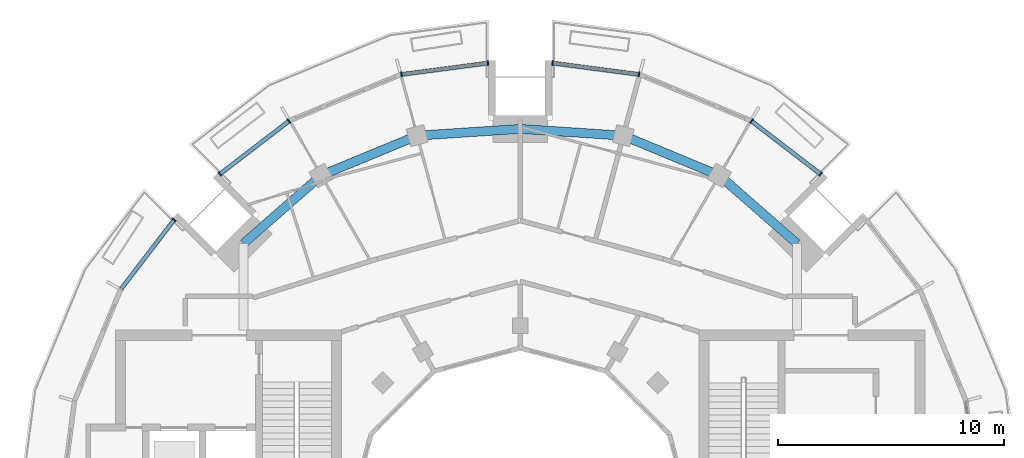
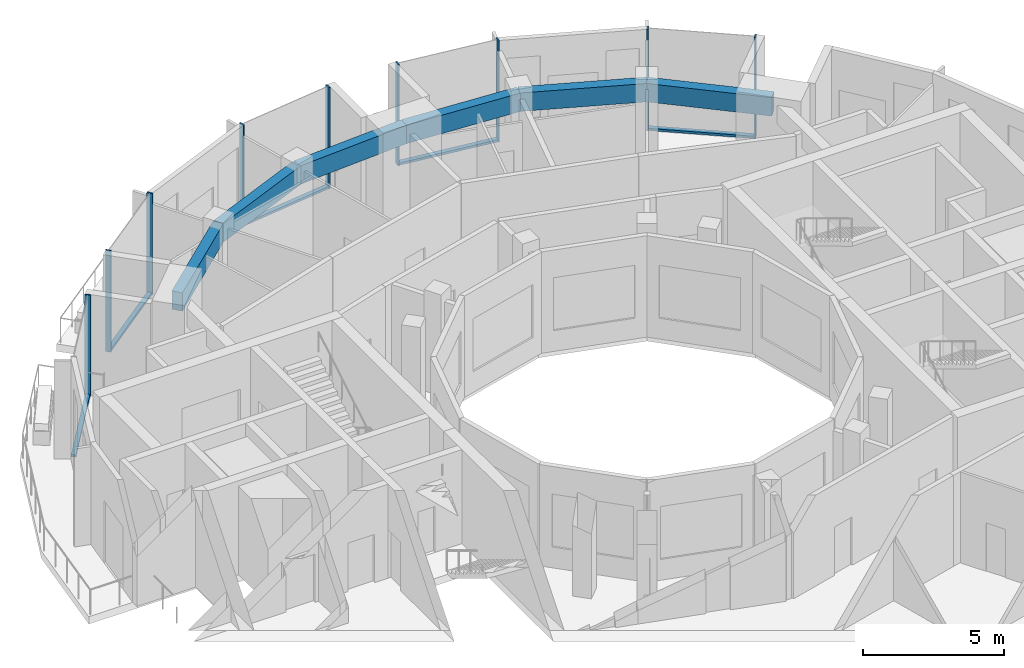
# One storey, part 5 of 15: 14 members, 6 beams, 5 elements without a shape of their own.
"""IFC4 building model written with IfcOpenShell, lengths in metres."""

from ifc_helpers import new_model, si_unit, direction, frame, origin, origin_2d, place, context, subcontext, project, spatial, rectangle, extrude, material, layer, layer_set, material_profile, profile_set, type_object, element, aggregate, save


model = new_model("IFC4")

# Units and contexts
model_context = context("Model", 3, precision=1e-05, world=origin(), true_north=direction((0.0, 1.0)))
body_context = subcontext(model_context, "Body", "Model", "MODEL_VIEW")
ifc_project = project(units=[si_unit("LENGTHUNIT", "METRE"), si_unit("AREAUNIT", "SQUARE_METRE"), si_unit("VOLUMEUNIT", "CUBIC_METRE"), si_unit("PLANEANGLEUNIT", "RADIAN"), si_unit("MASSUNIT", "GRAM", prefix="KILO")], contexts=[model_context])

# Site, building, storey
site_placement = place(None, origin())
site = spatial("IfcSite", under=ifc_project, at=site_placement, CompositionType="ELEMENT")
building_placement = place(site_placement, origin())
building = spatial("IfcBuilding", under=site, at=building_placement, Name="Torre Brocal", CompositionType="ELEMENT")
storey_placement = place(building_placement, frame((0.0, 0.0, 314.89990234375)))
storey = spatial("IfcBuildingStorey", under=building, at=storey_placement, Name="L72", CompositionType="ELEMENT", Elevation=314.89990234375)

# Curtain wall, members
ifc_material_1 = material(Name="Aluminium and glass", Category="aluminium")
ifc_layer = layer(ifc_material_1, 0.199951171875)
ifc_layer_set = layer_set([ifc_layer], Name="Aluminium and glass")
curtain_wall_type = type_object("IfcCurtainWallType", Name="CW-5 CURTAIN WALL 4400 HIGH", PredefinedType="NOTDEFINED", material=ifc_layer_set)
curtain_wall_1_placement = place(storey_placement, origin())
curtain_wall_1 = element("IfcCurtainWall", 1, at=curtain_wall_1_placement, inside=storey, type_object=curtain_wall_type, Name="CW-5 RUN 4", PredefinedType="NOTDEFINED")
ifc_material_2 = material(Name="Aluminium, dark anodised", Category="aluminium")
ifc_material_profile_1 = material_profile(ifc_material_2, rectangle(XDim=0.219970703125, YDim=0.06005859375, at=origin_2d()), Name="CW-5 MULLION 60X220")
ifc_profile_set_1 = profile_set([ifc_material_profile_1], Name="Aluminium, dark anodised")
member_type_1 = type_object("IfcMemberType", Name="CW-5 MULLION 60X220", PredefinedType="MULLION", material=ifc_profile_set_1)
member_1_placement = place(storey_placement, frame((93.2802734375, 90.30224609375, 0.0), z_axis=(0.0, 0.0, 1.0), x_axis=(-0.608761428898, -0.793353340376, 0.0)))
member_1 = element("IfcMember", 2, at=member_1_placement, type_object=member_type_1, Name="CW5-1 mullion 1", PredefinedType="MULLION", context=body_context, shape_type="SweptSolid", body=[
    extrude(rectangle(XDim=0.219970703125, YDim=0.06005859375, at=origin_2d()), origin(), (0.0, 0.0, 1.0), 4.400146484375),
])
member_2_placement = place(storey_placement, frame((90.223388671875, 92.64794921875, 0.0), z_axis=(0.0, 0.0, 1.0), x_axis=(-0.608761428898, -0.793353340376, 0.0)))
member_2 = element("IfcMember", 3, at=member_2_placement, type_object=member_type_1, Name="CW5-1 mullion 2", PredefinedType="MULLION", context=body_context, shape_type="SweptSolid", body=[
    extrude(rectangle(XDim=0.219970703125, YDim=0.06005859375, at=origin_2d()), origin(), (0.0, 0.0, 1.0), 4.400146484375),
])

curtain_wall_2_placement = place(storey_placement, origin())
curtain_wall_2 = element("IfcCurtainWall", 4, at=curtain_wall_2_placement, inside=storey, type_object=curtain_wall_type, Name="CW-5 RUN 6", PredefinedType="NOTDEFINED")
member_3_placement = place(storey_placement, frame((85.25, 94.7080078125, 0.0), z_axis=(0.0, 0.0, 1.0), x_axis=(-0.130526192064, -0.991444861394, 0.0)))
member_3 = element("IfcMember", 5, at=member_3_placement, type_object=member_type_1, Name="CW5-1 mullion 1", PredefinedType="MULLION", context=body_context, shape_type="SweptSolid", body=[
    extrude(rectangle(XDim=0.219970703125, YDim=0.06005859375, at=origin_2d()), origin(), (0.0, 0.0, 1.0), 4.400146484375),
])
member_4_placement = place(storey_placement, frame((81.4296875, 95.2109375, 0.0), z_axis=(0.0, 0.0, 1.0), x_axis=(-0.130526192064, -0.991444861394, 0.0)))
member_4 = element("IfcMember", 6, at=member_4_placement, type_object=member_type_1, Name="CW5-1 mullion 2", PredefinedType="MULLION", context=body_context, shape_type="SweptSolid", body=[
    extrude(rectangle(XDim=0.219970703125, YDim=0.06005859375, at=origin_2d()), origin(), (0.0, 0.0, 1.0), 4.400146484375),
])

curtain_wall_3_placement = place(storey_placement, origin())
curtain_wall_3 = element("IfcCurtainWall", 7, at=curtain_wall_3_placement, inside=storey, type_object=curtain_wall_type, Name="CW-5 RUN 7", PredefinedType="NOTDEFINED")
member_5_placement = place(storey_placement, frame((78.5703125, 95.2109375, 0.0), z_axis=(0.0, 0.0, 1.0), x_axis=(0.130526192064, -0.991444861394, 0.0)))
member_5 = element("IfcMember", 8, at=member_5_placement, type_object=member_type_1, Name="CW5-1 mullion 1", PredefinedType="MULLION", context=body_context, shape_type="SweptSolid", body=[
    extrude(rectangle(XDim=0.219970703125, YDim=0.06005859375, at=origin_2d()), origin(), (0.0, 0.0, 1.0), 4.400146484375),
])
member_6_placement = place(storey_placement, frame((74.75, 94.7080078125, 0.0), z_axis=(0.0, 0.0, 1.0), x_axis=(0.130526192064, -0.991444861394, 0.0)))
member_6 = element("IfcMember", 9, at=member_6_placement, type_object=member_type_1, Name="CW5-1 mullion 2", PredefinedType="MULLION", context=body_context, shape_type="SweptSolid", body=[
    extrude(rectangle(XDim=0.219970703125, YDim=0.06005859375, at=origin_2d()), origin(), (0.0, 0.0, 1.0), 4.400146484375),
])

curtain_wall_4_placement = place(storey_placement, origin())
curtain_wall_4 = element("IfcCurtainWall", 10, at=curtain_wall_4_placement, inside=storey, type_object=curtain_wall_type, Name="CW-5 RUN 9", PredefinedType="NOTDEFINED")
member_7_placement = place(storey_placement, frame((69.776611328125, 92.64794921875, 0.0), z_axis=(0.0, 0.0, 1.0), x_axis=(0.608761428898, -0.793353340376, 0.0)))
member_7 = element("IfcMember", 11, at=member_7_placement, type_object=member_type_1, Name="CW5-1 mullion 1", PredefinedType="MULLION", context=body_context, shape_type="SweptSolid", body=[
    extrude(rectangle(XDim=0.219970703125, YDim=0.06005859375, at=origin_2d()), origin(), (0.0, 0.0, 1.0), 4.400146484375),
])
member_8_placement = place(storey_placement, frame((66.7197265625, 90.30224609375, 0.0), z_axis=(0.0, 0.0, 1.0), x_axis=(0.608761428898, -0.793353340376, 0.0)))
member_8 = element("IfcMember", 12, at=member_8_placement, type_object=member_type_1, Name="CW5-1 mullion 2", PredefinedType="MULLION", context=body_context, shape_type="SweptSolid", body=[
    extrude(rectangle(XDim=0.219970703125, YDim=0.06005859375, at=origin_2d()), origin(), (0.0, 0.0, 1.0), 4.400146484375),
])

# Curtain wall, member
curtain_wall_5_placement = place(storey_placement, origin())
curtain_wall_5 = element("IfcCurtainWall", 13, at=curtain_wall_5_placement, inside=storey, type_object=curtain_wall_type, Name="CW-5 RUN 10", PredefinedType="NOTDEFINED")
member_9_placement = place(storey_placement, frame((64.69775390625, 88.2802734375, 0.0), z_axis=(0.0, 0.0, 1.0), x_axis=(0.793353340376, -0.608761428898, 0.0)))
member_9 = element("IfcMember", 14, at=member_9_placement, type_object=member_type_1, Name="CW5-1 mullion 1", PredefinedType="MULLION", context=body_context, shape_type="SweptSolid", body=[
    extrude(rectangle(XDim=0.219970703125, YDim=0.06005859375, at=origin_2d()), origin(), (0.0, 0.0, 1.0), 4.400146484375),
])

# Member
ifc_material_3 = material(Name="Aluminium, dark anodised", Category="aluminium")
ifc_material_profile_2 = material_profile(ifc_material_3, rectangle(XDim=0.179931640625, YDim=0.10009765625, at=origin_2d()), Name="CW-5 TRANSOM 180X100")
ifc_profile_set_2 = profile_set([ifc_material_profile_2], Name="Aluminium, dark anodised")
member_type_2 = type_object("IfcMemberType", Name="CW-5 TRANSOM 180X100", PredefinedType="USERDEFINED", material=ifc_profile_set_2)
member_10_placement = place(storey_placement, frame((93.256591796875, 90.320556640625, 0.050048828125), z_axis=(-0.793379443335, 0.60872740935, 0.0), x_axis=(-0.60872740935, -0.793379443335, 0.0)))
member_10 = element("IfcMember", 15, at=member_10_placement, type_object=member_type_2, Name="CW5-1 transom 1.1", ObjectType="TRANSOM", PredefinedType="USERDEFINED", context=body_context, shape_type="SweptSolid", body=[
    extrude(rectangle(XDim=0.179931640625, YDim=0.10009765625, at=origin_2d()), origin(), (0.0, 0.0, 1.0), 3.793212890625),
])

aggregate(curtain_wall_1, [member_1, member_2, member_10])

member_11_placement = place(storey_placement, frame((85.22021484375, 94.7119140625, 0.050048828125), z_axis=(-0.99144465375, 0.130527769268, 0.0), x_axis=(-0.130527769268, -0.99144465375, 0.0)))
member_11 = element("IfcMember", 16, at=member_11_placement, type_object=member_type_2, Name="CW5-1 transom 1.1", ObjectType="TRANSOM", PredefinedType="USERDEFINED", context=body_context, shape_type="SweptSolid", body=[
    extrude(rectangle(XDim=0.179931640625, YDim=0.10009765625, at=origin_2d()), origin(), (0.0, 0.0, 1.0), 3.793212890625),
])

aggregate(curtain_wall_2, [member_3, member_4, member_11])

member_12_placement = place(storey_placement, frame((78.54052734375, 95.20703125, 0.050048828125), z_axis=(-0.99144465375, -0.130527769268, 0.0), x_axis=(0.130527769268, -0.99144465375, 0.0)))
member_12 = element("IfcMember", 17, at=member_12_placement, type_object=member_type_2, Name="CW5-1 transom 1.1", ObjectType="TRANSOM", PredefinedType="USERDEFINED", context=body_context, shape_type="SweptSolid", body=[
    extrude(rectangle(XDim=0.179931640625, YDim=0.10009765625, at=origin_2d()), origin(), (0.0, 0.0, 1.0), 3.793212890625),
])

aggregate(curtain_wall_3, [member_5, member_6, member_12])

member_13_placement = place(storey_placement, frame((69.7529296875, 92.629638671875, 0.050048828125), z_axis=(-0.793379443335, -0.60872740935, 0.0), x_axis=(0.60872740935, -0.793379443335, 0.0)))
member_13 = element("IfcMember", 18, at=member_13_placement, type_object=member_type_2, Name="CW5-1 transom 1.1", ObjectType="TRANSOM", PredefinedType="USERDEFINED", context=body_context, shape_type="SweptSolid", body=[
    extrude(rectangle(XDim=0.179931640625, YDim=0.10009765625, at=origin_2d()), origin(), (0.0, 0.0, 1.0), 3.793212890625),
])

aggregate(curtain_wall_4, [member_7, member_8, member_13])

member_14_placement = place(storey_placement, frame((64.679443359375, 88.256591796875, 0.050048828125), z_axis=(-0.60872740935, -0.793379443335, 0.0), x_axis=(0.793379443335, -0.60872740935, 0.0)))
member_14 = element("IfcMember", 19, at=member_14_placement, type_object=member_type_2, Name="CW5-1 transom 1.1", ObjectType="TRANSOM", PredefinedType="USERDEFINED", context=body_context, shape_type="SweptSolid", body=[
    extrude(rectangle(XDim=0.179931640625, YDim=0.10009765625, at=origin_2d()), origin(), (0.0, 0.0, 1.0), 3.793212890625),
])

aggregate(curtain_wall_5, [member_9, member_14])

# Beams
ifc_material_4 = material(Name="Concrete C50", Category="concrete")
ifc_material_profile_3 = material_profile(ifc_material_4, rectangle(XDim=0.39990234375, YDim=0.800048828125, at=origin_2d()), Name="RC 400X800")
ifc_profile_set_3 = profile_set([ifc_material_profile_3], Name="Concrete C50")
beam_type = type_object("IfcBeamType", Name="RC SPANDREL BEAM 400X800 C50 TOP 4080", PredefinedType="SPANDREL", material=ifc_profile_set_3)
beam_1_placement = place(storey_placement, frame((92.23291015625, 87.23291015625, 3.68017578125), z_axis=(-0.752003258433, 0.659159388393, 0.0), x_axis=(-0.659159388393, -0.752003258433, 0.0)))
element("IfcBeam", 20, at=beam_1_placement, inside=storey, type_object=beam_type, Name="Beam BT-50", PredefinedType="SPANDREL", context=body_context, shape_type="SweptSolid", body=[
    extrude(rectangle(XDim=0.39990234375, YDim=0.800048828125, at=origin_2d()), origin(), (0.0, 0.0, 1.0), 4.56494140625),
])
beam_2_placement = place(storey_placement, frame((88.800048828125, 90.241943359375, 3.68017578125), z_axis=(-0.923878240166, 0.382686552348, 0.0), x_axis=(-0.382686552348, -0.923878240166, 0.0)))
element("IfcBeam", 21, at=beam_2_placement, inside=storey, type_object=beam_type, Name="Beam BT-50", PredefinedType="SPANDREL", context=body_context, shape_type="SweptSolid", body=[
    extrude(rectangle(XDim=0.39990234375, YDim=0.800048828125, at=origin_2d()), origin(), (0.0, 0.0, 1.0), 4.5947265625),
])
for number, where, z_axis, x_axis, name in (
    (22, (84.55517578125, 92.000244140625, 3.68017578125), (-0.9978411205, 0.06567418244, 0.0), (-0.06567418244, -0.9978411205, 0.0), "Beam BT-50"),
    (23, (80.0, 92.300048828125, 3.68017578125), (-0.9978411205, -0.06567418244, 0.0), (0.06567418244, -0.9978411205, 0.0), "Beam BT-50"),
):
    element("IfcBeam", number, at=place(storey_placement, frame(where, z_axis=z_axis, x_axis=x_axis)), inside=storey, type_object=beam_type, Name=name, PredefinedType="SPANDREL", context=body_context, shape_type="SweptSolid", body=[
        extrude(rectangle(XDim=0.39990234375, YDim=0.800048828125, at=origin_2d()), origin(), (0.0, 0.0, 1.0), 4.56494140625),
    ])
beam_3_placement = place(storey_placement, frame((75.44482421875, 92.000244140625, 3.68017578125), z_axis=(-0.923878240166, -0.382686552348, 0.0), x_axis=(0.382686552348, -0.923878240166, 0.0)))
element("IfcBeam", 24, at=beam_3_placement, inside=storey, type_object=beam_type, Name="Beam BT-50", PredefinedType="SPANDREL", context=body_context, shape_type="SweptSolid", body=[
    extrude(rectangle(XDim=0.39990234375, YDim=0.800048828125, at=origin_2d()), origin(), (0.0, 0.0, 1.0), 4.5947265625),
])
beam_4_placement = place(storey_placement, frame((71.199951171875, 90.241943359375, 3.68017578125), z_axis=(-0.752003258433, -0.659159388393, 0.0), x_axis=(0.659159388393, -0.752003258433, 0.0)))
element("IfcBeam", 25, at=beam_4_placement, inside=storey, type_object=beam_type, Name="Beam BT-50", PredefinedType="SPANDREL", context=body_context, shape_type="SweptSolid", body=[
    extrude(rectangle(XDim=0.39990234375, YDim=0.800048828125, at=origin_2d()), origin(), (0.0, 0.0, 1.0), 4.56494140625),
])

save(model, "model.ifc")
